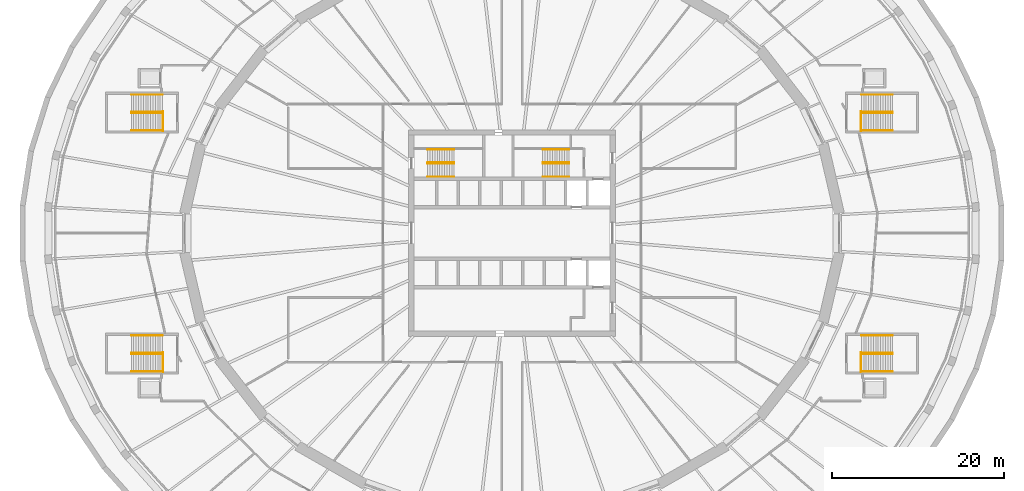
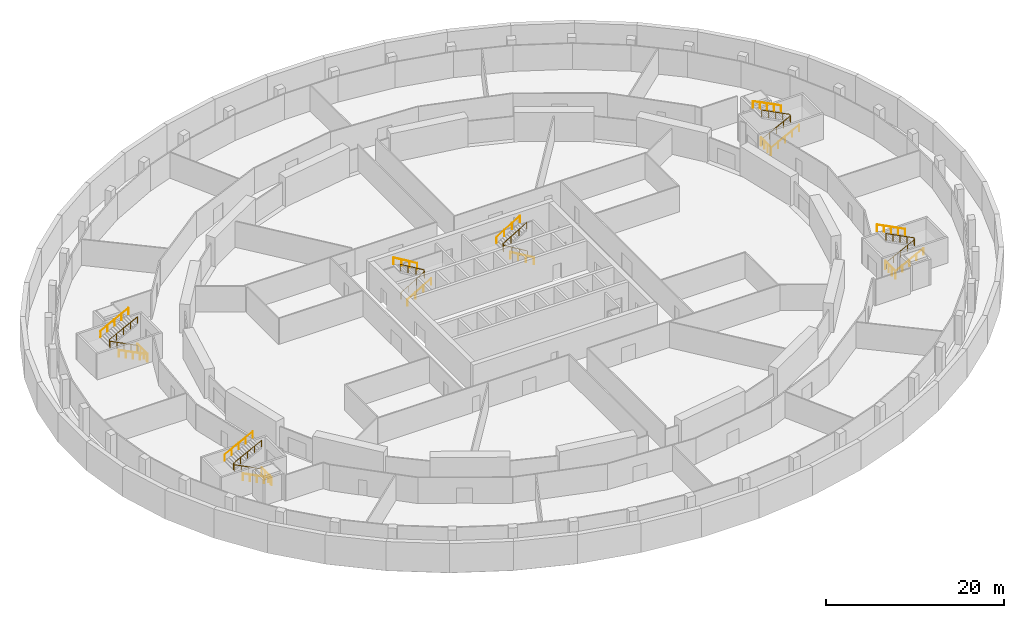
# One storey, part 13 of 14: 22 railings.
"""IFC4 building model written with IfcOpenShell, lengths in metres."""

from ifc_helpers import new_model, si_unit, direction, frame, origin, origin_2d, place, context, subcontext, project, spatial, circle, extrude, material, type_object, element, save


model = new_model("IFC4")

# Units and contexts
model_context = context("Model", 3, precision=1e-05, world=origin(), true_north=direction((0.0, 1.0)))
body_context = subcontext(model_context, "Body", "Model", "MODEL_VIEW")
ifc_project = project(units=[si_unit("LENGTHUNIT", "METRE"), si_unit("AREAUNIT", "SQUARE_METRE"), si_unit("VOLUMEUNIT", "CUBIC_METRE"), si_unit("PLANEANGLEUNIT", "RADIAN"), si_unit("MASSUNIT", "GRAM", prefix="KILO")], contexts=[model_context])

# Site, building, storey
site_placement = place(None, origin())
site = spatial("IfcSite", under=ifc_project, at=site_placement, CompositionType="ELEMENT")
building_placement = place(site_placement, origin())
building = spatial("IfcBuilding", under=site, at=building_placement, Name="Halqa Exchange Tower", CompositionType="ELEMENT")
storey_placement = place(building_placement, frame((0.0, 0.0, -4.0)))
storey = spatial("IfcBuildingStorey", under=building, at=storey_placement, Name="B1", CompositionType="ELEMENT", Elevation=-4.0)

# Railings
ifc_material = material(Name="Stainless steel", Category="steel")
railing_type_1 = type_object("IfcRailingType", Name="Stair handrail 900", PredefinedType="HANDRAIL", material=ifc_material)
railing_1_placement = place(storey_placement, frame((-9.800048828125, 8.06005859375, 0.166748046875)))
element("IfcRailing", 1, at=railing_1_placement, inside=storey, type_object=railing_type_1, Name="Handrail ST1.1", PredefinedType="HANDRAIL", context=body_context, shape_type="SweptSolid", body=[
    extrude(circle(Radius=0.02392578125, at=origin_2d()), frame((0.0, 0.0, 0.8759765625), z_axis=(0.859308565015, 0.0, 0.511457515432), x_axis=(0.0, 1.0, 0.0)), (0.0, 0.0, 1.0), 3.58447265625),
    extrude(circle(Radius=0.02392578125, at=origin_2d()), frame((3.080078125, 0.0, 2.708984375), z_axis=(0.0, 0.614500226555, 0.788916644243), x_axis=(-1.0, 0.0, 0.0)), (0.0, 0.0, 1.0), 0.21142578125),
    extrude(circle(Radius=0.02392578125, at=origin_2d()), frame((3.080078125, 0.1298828125, 2.8759765625), z_axis=(-0.859308565015, 0.0, 0.511457515432), x_axis=(0.0, -1.0, 0.0)), (0.0, 0.0, 1.0), 3.58447265625),
    extrude(circle(Radius=0.02099609375, at=origin_2d()), origin(), (0.0, 0.0, 1.0), 0.851806640625),
    extrude(circle(Radius=0.02099609375, at=origin_2d()), frame((1.026611328125, 0.0, 0.611083984375)), (0.0, 0.0, 1.0), 0.851806640625),
    extrude(circle(Radius=0.02099609375, at=origin_2d()), frame((2.053466796875, 0.0, 1.22216796875)), (0.0, 0.0, 1.0), 0.851806640625),
    extrude(circle(Radius=0.02099609375, at=origin_2d()), frame((3.080078125, 0.0, 1.833251953125)), (0.0, 0.0, 1.0), 0.851806640625),
    extrude(circle(Radius=0.02099609375, at=origin_2d()), frame((3.080078125, 0.1298828125, 2.0)), (0.0, 0.0, 1.0), 0.851806640625),
    extrude(circle(Radius=0.02099609375, at=origin_2d()), frame((2.053466796875, 0.1298828125, 2.611083984375)), (0.0, 0.0, 1.0), 0.851806640625),
    extrude(circle(Radius=0.02099609375, at=origin_2d()), frame((1.026611328125, 0.1298828125, 3.22216796875)), (0.0, 0.0, 1.0), 0.851806640625),
    extrude(circle(Radius=0.02099609375, at=origin_2d()), frame((0.0, 0.1298828125, 3.833251953125)), (0.0, 0.0, 1.0), 0.851806640625),
])
railing_2_placement = place(storey_placement, frame((-9.800048828125, 6.550048828125, 0.166748046875)))
element("IfcRailing", 2, at=railing_2_placement, inside=storey, type_object=railing_type_1, Name="Handrail ST1.2", PredefinedType="HANDRAIL", context=body_context, shape_type="SweptSolid", body=[
    extrude(circle(Radius=0.02392578125, at=origin_2d()), frame((0.0, 0.0, 0.8759765625), z_axis=(0.859308565015, 0.0, 0.511457515432), x_axis=(0.0, 1.0, 0.0)), (0.0, 0.0, 1.0), 3.58447265625),
    extrude(circle(Radius=0.02099609375, at=origin_2d()), origin(), (0.0, 0.0, 1.0), 0.851806640625),
    extrude(circle(Radius=0.02099609375, at=origin_2d()), frame((1.026611328125, 0.0, 0.611083984375)), (0.0, 0.0, 1.0), 0.851806640625),
    extrude(circle(Radius=0.02099609375, at=origin_2d()), frame((2.053466796875, 0.0, 1.22216796875)), (0.0, 0.0, 1.0), 0.851806640625),
    extrude(circle(Radius=0.02099609375, at=origin_2d()), frame((3.080078125, 0.0, 1.833251953125)), (0.0, 0.0, 1.0), 0.851806640625),
])
railing_3_placement = place(storey_placement, frame((-6.719970703125, 9.699951171875, 2.166748046875)))
element("IfcRailing", 3, at=railing_3_placement, inside=storey, type_object=railing_type_1, Name="Handrail ST1.3", PredefinedType="HANDRAIL", context=body_context, shape_type="SweptSolid", body=[
    extrude(circle(Radius=0.02392578125, at=origin_2d()), frame((0.0, 0.0, 0.8759765625), z_axis=(-0.859308565015, 0.0, 0.511457515432), x_axis=(0.0, -1.0, 0.0)), (0.0, 0.0, 1.0), 3.58447265625),
    extrude(circle(Radius=0.02099609375, at=origin_2d()), origin(), (0.0, 0.0, 1.0), 0.851806640625),
    extrude(circle(Radius=0.02099609375, at=origin_2d()), frame((-1.026611328125, 0.0, 0.611083984375)), (0.0, 0.0, 1.0), 0.851806640625),
    extrude(circle(Radius=0.02099609375, at=origin_2d()), frame((-2.053466796875, 0.0, 1.22216796875)), (0.0, 0.0, 1.0), 0.851806640625),
    extrude(circle(Radius=0.02099609375, at=origin_2d()), frame((-3.080078125, 0.0, 1.833251953125)), (0.0, 0.0, 1.0), 0.851806640625),
])
railing_4_placement = place(storey_placement, frame((6.64990234375, 8.06005859375, 0.166748046875)))
element("IfcRailing", 4, at=railing_4_placement, inside=storey, type_object=railing_type_1, Name="Handrail ST2.1", PredefinedType="HANDRAIL", context=body_context, shape_type="SweptSolid", body=[
    extrude(circle(Radius=0.02392578125, at=origin_2d()), frame((0.0, 0.0, 0.8759765625), z_axis=(-0.859290745958, 0.0, 0.51148745235), x_axis=(0.0, -1.0, 0.0)), (0.0, 0.0, 1.0), 3.584228515625),
    extrude(circle(Radius=0.02392578125, at=origin_2d()), frame((-3.079833984375, 0.0, 2.708984375), z_axis=(0.0, 0.614500226555, 0.788916644243), x_axis=(-1.0, 0.0, 0.0)), (0.0, 0.0, 1.0), 0.21142578125),
    extrude(circle(Radius=0.02392578125, at=origin_2d()), frame((-3.079833984375, 0.1298828125, 2.8759765625), z_axis=(0.859290745958, 0.0, 0.51148745235), x_axis=(0.0, 1.0, 0.0)), (0.0, 0.0, 1.0), 3.584228515625),
    extrude(circle(Radius=0.02099609375, at=origin_2d()), origin(), (0.0, 0.0, 1.0), 0.851806640625),
    extrude(circle(Radius=0.02099609375, at=origin_2d()), frame((-1.026611328125, 0.0, 0.611083984375)), (0.0, 0.0, 1.0), 0.851806640625),
    extrude(circle(Radius=0.02099609375, at=origin_2d()), frame((-2.05322265625, 0.0, 1.22216796875)), (0.0, 0.0, 1.0), 0.851806640625),
    extrude(circle(Radius=0.02099609375, at=origin_2d()), frame((-3.079833984375, 0.0, 1.833251953125)), (0.0, 0.0, 1.0), 0.851806640625),
    extrude(circle(Radius=0.02099609375, at=origin_2d()), frame((-3.079833984375, 0.1298828125, 2.0)), (0.0, 0.0, 1.0), 0.851806640625),
    extrude(circle(Radius=0.02099609375, at=origin_2d()), frame((-2.05322265625, 0.1298828125, 2.611083984375)), (0.0, 0.0, 1.0), 0.851806640625),
    extrude(circle(Radius=0.02099609375, at=origin_2d()), frame((-1.026611328125, 0.1298828125, 3.22216796875)), (0.0, 0.0, 1.0), 0.851806640625),
    extrude(circle(Radius=0.02099609375, at=origin_2d()), frame((0.0, 0.1298828125, 3.833251953125)), (0.0, 0.0, 1.0), 0.851806640625),
])
railing_5_placement = place(storey_placement, frame((6.64990234375, 6.550048828125, 0.166748046875)))
element("IfcRailing", 5, at=railing_5_placement, inside=storey, type_object=railing_type_1, Name="Handrail ST2.2", PredefinedType="HANDRAIL", context=body_context, shape_type="SweptSolid", body=[
    extrude(circle(Radius=0.02392578125, at=origin_2d()), frame((0.0, 0.0, 0.8759765625), z_axis=(-0.859290745958, 0.0, 0.51148745235), x_axis=(0.0, -1.0, 0.0)), (0.0, 0.0, 1.0), 3.584228515625),
    extrude(circle(Radius=0.02099609375, at=origin_2d()), origin(), (0.0, 0.0, 1.0), 0.851806640625),
    extrude(circle(Radius=0.02099609375, at=origin_2d()), frame((-1.026611328125, 0.0, 0.611083984375)), (0.0, 0.0, 1.0), 0.851806640625),
    extrude(circle(Radius=0.02099609375, at=origin_2d()), frame((-2.05322265625, 0.0, 1.22216796875)), (0.0, 0.0, 1.0), 0.851806640625),
    extrude(circle(Radius=0.02099609375, at=origin_2d()), frame((-3.079833984375, 0.0, 1.833251953125)), (0.0, 0.0, 1.0), 0.851806640625),
])
railing_6_placement = place(storey_placement, frame((3.570068359375, 9.699951171875, 2.166748046875)))
element("IfcRailing", 6, at=railing_6_placement, inside=storey, type_object=railing_type_1, Name="Handrail ST2.3", PredefinedType="HANDRAIL", context=body_context, shape_type="SweptSolid", body=[
    extrude(circle(Radius=0.02392578125, at=origin_2d()), frame((0.0, 0.0, 0.8759765625), z_axis=(0.859290745958, 0.0, 0.51148745235), x_axis=(0.0, 1.0, 0.0)), (0.0, 0.0, 1.0), 3.584228515625),
    extrude(circle(Radius=0.02099609375, at=origin_2d()), origin(), (0.0, 0.0, 1.0), 0.851806640625),
    extrude(circle(Radius=0.02099609375, at=origin_2d()), frame((1.026611328125, 0.0, 0.611083984375)), (0.0, 0.0, 1.0), 0.851806640625),
    extrude(circle(Radius=0.02099609375, at=origin_2d()), frame((2.05322265625, 0.0, 1.22216796875)), (0.0, 0.0, 1.0), 0.851806640625),
    extrude(circle(Radius=0.02099609375, at=origin_2d()), frame((3.079833984375, 0.0, 1.833251953125)), (0.0, 0.0, 1.0), 0.851806640625),
])
railing_7_placement = place(storey_placement, frame((40.60009765625, 13.93505859375, 0.142822265625)))
element("IfcRailing", 7, at=railing_7_placement, inside=storey, type_object=railing_type_1, Name="Handrail SS1.1", PredefinedType="HANDRAIL", context=body_context, shape_type="SweptSolid", body=[
    extrude(circle(Radius=0.02392578125, at=origin_2d()), frame((0.0, 0.0, 0.8759765625), z_axis=(0.890752984642, 0.0, 0.454487755998), x_axis=(0.0, 1.0, 0.0)), (0.0, 0.0, 1.0), 4.08642578125),
    extrude(circle(Radius=0.02392578125, at=origin_2d()), frame((3.639892578125, 0.0, 2.73291015625), z_axis=(0.0, 0.672798677933, 0.739825613893), x_axis=(-1.0, 0.0, 0.0)), (0.0, 0.0, 1.0), 0.193115234375),
    extrude(circle(Radius=0.02392578125, at=origin_2d()), frame((3.639892578125, 0.1298828125, 2.8759765625), z_axis=(-0.890752984642, 0.0, 0.454487755998), x_axis=(0.0, -1.0, 0.0)), (0.0, 0.0, 1.0), 4.08642578125),
    extrude(circle(Radius=0.02099609375, at=origin_2d()), origin(), (0.0, 0.0, 1.0), 0.851806640625),
    extrude(circle(Radius=0.02099609375, at=origin_2d()), frame((0.909912109375, 0.0, 0.46435546875)), (0.0, 0.0, 1.0), 0.851806640625),
    extrude(circle(Radius=0.02099609375, at=origin_2d()), frame((1.81982421875, 0.0, 0.9287109375)), (0.0, 0.0, 1.0), 0.851806640625),
    extrude(circle(Radius=0.02099609375, at=origin_2d()), frame((2.72998046875, 0.0, 1.392822265625)), (0.0, 0.0, 1.0), 0.851806640625),
    extrude(circle(Radius=0.02099609375, at=origin_2d()), frame((3.639892578125, 0.0, 1.857177734375)), (0.0, 0.0, 1.0), 0.851806640625),
    extrude(circle(Radius=0.02099609375, at=origin_2d()), frame((3.639892578125, 0.1298828125, 2.0)), (0.0, 0.0, 1.0), 0.851806640625),
    extrude(circle(Radius=0.02099609375, at=origin_2d()), frame((2.72998046875, 0.1298828125, 2.46435546875)), (0.0, 0.0, 1.0), 0.851806640625),
    extrude(circle(Radius=0.02099609375, at=origin_2d()), frame((1.81982421875, 0.1298828125, 2.9287109375)), (0.0, 0.0, 1.0), 0.851806640625),
    extrude(circle(Radius=0.02099609375, at=origin_2d()), frame((0.909912109375, 0.1298828125, 3.392822265625)), (0.0, 0.0, 1.0), 0.851806640625),
    extrude(circle(Radius=0.02099609375, at=origin_2d()), frame((0.0, 0.1298828125, 3.857177734375)), (0.0, 0.0, 1.0), 0.851806640625),
])
railing_8_placement = place(storey_placement, frame((40.60009765625, 11.925048828125, 0.142822265625)))
element("IfcRailing", 8, at=railing_8_placement, inside=storey, type_object=railing_type_1, Name="Handrail SS1.2", PredefinedType="HANDRAIL", context=body_context, shape_type="SweptSolid", body=[
    extrude(circle(Radius=0.02392578125, at=origin_2d()), frame((0.0, 0.0, 0.8759765625), z_axis=(0.890752984642, 0.0, 0.454487755998), x_axis=(0.0, 1.0, 0.0)), (0.0, 0.0, 1.0), 4.08642578125),
    extrude(circle(Radius=0.02099609375, at=origin_2d()), origin(), (0.0, 0.0, 1.0), 0.851806640625),
    extrude(circle(Radius=0.02099609375, at=origin_2d()), frame((0.909912109375, 0.0, 0.46435546875)), (0.0, 0.0, 1.0), 0.851806640625),
    extrude(circle(Radius=0.02099609375, at=origin_2d()), frame((1.81982421875, 0.0, 0.9287109375)), (0.0, 0.0, 1.0), 0.851806640625),
    extrude(circle(Radius=0.02099609375, at=origin_2d()), frame((2.72998046875, 0.0, 1.392822265625)), (0.0, 0.0, 1.0), 0.851806640625),
    extrude(circle(Radius=0.02099609375, at=origin_2d()), frame((3.639892578125, 0.0, 1.857177734375)), (0.0, 0.0, 1.0), 0.851806640625),
])
railing_9_placement = place(storey_placement, frame((44.239990234375, 16.074951171875, 2.142822265625)))
element("IfcRailing", 9, at=railing_9_placement, inside=storey, type_object=railing_type_1, Name="Handrail SS1.3", PredefinedType="HANDRAIL", context=body_context, shape_type="SweptSolid", body=[
    extrude(circle(Radius=0.02392578125, at=origin_2d()), frame((0.0, 0.0, 0.8759765625), z_axis=(-0.890752984642, 0.0, 0.454487755998), x_axis=(0.0, -1.0, 0.0)), (0.0, 0.0, 1.0), 4.08642578125),
    extrude(circle(Radius=0.02099609375, at=origin_2d()), origin(), (0.0, 0.0, 1.0), 0.851806640625),
    extrude(circle(Radius=0.02099609375, at=origin_2d()), frame((-0.909912109375, 0.0, 0.46435546875)), (0.0, 0.0, 1.0), 0.851806640625),
    extrude(circle(Radius=0.02099609375, at=origin_2d()), frame((-1.81982421875, 0.0, 0.9287109375)), (0.0, 0.0, 1.0), 0.851806640625),
    extrude(circle(Radius=0.02099609375, at=origin_2d()), frame((-2.72998046875, 0.0, 1.392822265625)), (0.0, 0.0, 1.0), 0.851806640625),
    extrude(circle(Radius=0.02099609375, at=origin_2d()), frame((-3.639892578125, 0.0, 1.857177734375)), (0.0, 0.0, 1.0), 0.851806640625),
])
railing_10_placement = place(storey_placement, frame((40.60009765625, -14.06494140625, 0.142822265625)))
element("IfcRailing", 10, at=railing_10_placement, inside=storey, type_object=railing_type_1, Name="Handrail SS2.1", PredefinedType="HANDRAIL", context=body_context, shape_type="SweptSolid", body=[
    extrude(circle(Radius=0.02392578125, at=origin_2d()), frame((0.0, 0.0, 0.8759765625), z_axis=(0.890752984642, 0.0, 0.454487755998), x_axis=(0.0, 1.0, 0.0)), (0.0, 0.0, 1.0), 4.08642578125),
    extrude(circle(Radius=0.02392578125, at=origin_2d()), frame((3.639892578125, 0.0, 2.73291015625), z_axis=(0.0, 0.672798677933, 0.739825613893), x_axis=(-1.0, 0.0, 0.0)), (0.0, 0.0, 1.0), 0.193115234375),
    extrude(circle(Radius=0.02392578125, at=origin_2d()), frame((3.639892578125, 0.1298828125, 2.8759765625), z_axis=(-0.890752984642, 0.0, 0.454487755998), x_axis=(0.0, -1.0, 0.0)), (0.0, 0.0, 1.0), 4.08642578125),
    extrude(circle(Radius=0.02099609375, at=origin_2d()), origin(), (0.0, 0.0, 1.0), 0.851806640625),
    extrude(circle(Radius=0.02099609375, at=origin_2d()), frame((0.909912109375, 0.0, 0.46435546875)), (0.0, 0.0, 1.0), 0.851806640625),
    extrude(circle(Radius=0.02099609375, at=origin_2d()), frame((1.81982421875, 0.0, 0.9287109375)), (0.0, 0.0, 1.0), 0.851806640625),
    extrude(circle(Radius=0.02099609375, at=origin_2d()), frame((2.72998046875, 0.0, 1.392822265625)), (0.0, 0.0, 1.0), 0.851806640625),
    extrude(circle(Radius=0.02099609375, at=origin_2d()), frame((3.639892578125, 0.0, 1.857177734375)), (0.0, 0.0, 1.0), 0.851806640625),
    extrude(circle(Radius=0.02099609375, at=origin_2d()), frame((3.639892578125, 0.1298828125, 2.0)), (0.0, 0.0, 1.0), 0.851806640625),
    extrude(circle(Radius=0.02099609375, at=origin_2d()), frame((2.72998046875, 0.1298828125, 2.46435546875)), (0.0, 0.0, 1.0), 0.851806640625),
    extrude(circle(Radius=0.02099609375, at=origin_2d()), frame((1.81982421875, 0.1298828125, 2.9287109375)), (0.0, 0.0, 1.0), 0.851806640625),
    extrude(circle(Radius=0.02099609375, at=origin_2d()), frame((0.909912109375, 0.1298828125, 3.392822265625)), (0.0, 0.0, 1.0), 0.851806640625),
    extrude(circle(Radius=0.02099609375, at=origin_2d()), frame((0.0, 0.1298828125, 3.857177734375)), (0.0, 0.0, 1.0), 0.851806640625),
])
railing_11_placement = place(storey_placement, frame((40.60009765625, -16.074951171875, 0.142822265625)))
element("IfcRailing", 11, at=railing_11_placement, inside=storey, type_object=railing_type_1, Name="Handrail SS2.2", PredefinedType="HANDRAIL", context=body_context, shape_type="SweptSolid", body=[
    extrude(circle(Radius=0.02392578125, at=origin_2d()), frame((0.0, 0.0, 0.8759765625), z_axis=(0.890752984642, 0.0, 0.454487755998), x_axis=(0.0, 1.0, 0.0)), (0.0, 0.0, 1.0), 4.08642578125),
    extrude(circle(Radius=0.02099609375, at=origin_2d()), origin(), (0.0, 0.0, 1.0), 0.851806640625),
    extrude(circle(Radius=0.02099609375, at=origin_2d()), frame((0.909912109375, 0.0, 0.46435546875)), (0.0, 0.0, 1.0), 0.851806640625),
    extrude(circle(Radius=0.02099609375, at=origin_2d()), frame((1.81982421875, 0.0, 0.9287109375)), (0.0, 0.0, 1.0), 0.851806640625),
    extrude(circle(Radius=0.02099609375, at=origin_2d()), frame((2.72998046875, 0.0, 1.392822265625)), (0.0, 0.0, 1.0), 0.851806640625),
    extrude(circle(Radius=0.02099609375, at=origin_2d()), frame((3.639892578125, 0.0, 1.857177734375)), (0.0, 0.0, 1.0), 0.851806640625),
])
railing_12_placement = place(storey_placement, frame((44.239990234375, -11.925048828125, 2.142822265625)))
element("IfcRailing", 12, at=railing_12_placement, inside=storey, type_object=railing_type_1, Name="Handrail SS2.3", PredefinedType="HANDRAIL", context=body_context, shape_type="SweptSolid", body=[
    extrude(circle(Radius=0.02392578125, at=origin_2d()), frame((0.0, 0.0, 0.8759765625), z_axis=(-0.890752984642, 0.0, 0.454487755998), x_axis=(0.0, -1.0, 0.0)), (0.0, 0.0, 1.0), 4.08642578125),
    extrude(circle(Radius=0.02099609375, at=origin_2d()), origin(), (0.0, 0.0, 1.0), 0.851806640625),
    extrude(circle(Radius=0.02099609375, at=origin_2d()), frame((-0.909912109375, 0.0, 0.46435546875)), (0.0, 0.0, 1.0), 0.851806640625),
    extrude(circle(Radius=0.02099609375, at=origin_2d()), frame((-1.81982421875, 0.0, 0.9287109375)), (0.0, 0.0, 1.0), 0.851806640625),
    extrude(circle(Radius=0.02099609375, at=origin_2d()), frame((-2.72998046875, 0.0, 1.392822265625)), (0.0, 0.0, 1.0), 0.851806640625),
    extrude(circle(Radius=0.02099609375, at=origin_2d()), frame((-3.639892578125, 0.0, 1.857177734375)), (0.0, 0.0, 1.0), 0.851806640625),
])
railing_13_placement = place(storey_placement, frame((-40.60009765625, 13.93505859375, 0.142822265625)))
element("IfcRailing", 13, at=railing_13_placement, inside=storey, type_object=railing_type_1, Name="Handrail SS3.1", PredefinedType="HANDRAIL", context=body_context, shape_type="SweptSolid", body=[
    extrude(circle(Radius=0.02392578125, at=origin_2d()), frame((0.0, 0.0, 0.8759765625), z_axis=(-0.890752984642, 0.0, 0.454487755998), x_axis=(0.0, -1.0, 0.0)), (0.0, 0.0, 1.0), 4.08642578125),
    extrude(circle(Radius=0.02392578125, at=origin_2d()), frame((-3.639892578125, 0.0, 2.73291015625), z_axis=(0.0, 0.672798677933, 0.739825613893), x_axis=(-1.0, 0.0, 0.0)), (0.0, 0.0, 1.0), 0.193115234375),
    extrude(circle(Radius=0.02392578125, at=origin_2d()), frame((-3.639892578125, 0.1298828125, 2.8759765625), z_axis=(0.890752984642, 0.0, 0.454487755998), x_axis=(0.0, 1.0, 0.0)), (0.0, 0.0, 1.0), 4.08642578125),
    extrude(circle(Radius=0.02099609375, at=origin_2d()), origin(), (0.0, 0.0, 1.0), 0.851806640625),
    extrude(circle(Radius=0.02099609375, at=origin_2d()), frame((-0.909912109375, 0.0, 0.46435546875)), (0.0, 0.0, 1.0), 0.851806640625),
    extrude(circle(Radius=0.02099609375, at=origin_2d()), frame((-1.81982421875, 0.0, 0.9287109375)), (0.0, 0.0, 1.0), 0.851806640625),
    extrude(circle(Radius=0.02099609375, at=origin_2d()), frame((-2.72998046875, 0.0, 1.392822265625)), (0.0, 0.0, 1.0), 0.851806640625),
    extrude(circle(Radius=0.02099609375, at=origin_2d()), frame((-3.639892578125, 0.0, 1.857177734375)), (0.0, 0.0, 1.0), 0.851806640625),
    extrude(circle(Radius=0.02099609375, at=origin_2d()), frame((-3.639892578125, 0.1298828125, 2.0)), (0.0, 0.0, 1.0), 0.851806640625),
    extrude(circle(Radius=0.02099609375, at=origin_2d()), frame((-2.72998046875, 0.1298828125, 2.46435546875)), (0.0, 0.0, 1.0), 0.851806640625),
    extrude(circle(Radius=0.02099609375, at=origin_2d()), frame((-1.81982421875, 0.1298828125, 2.9287109375)), (0.0, 0.0, 1.0), 0.851806640625),
    extrude(circle(Radius=0.02099609375, at=origin_2d()), frame((-0.909912109375, 0.1298828125, 3.392822265625)), (0.0, 0.0, 1.0), 0.851806640625),
    extrude(circle(Radius=0.02099609375, at=origin_2d()), frame((0.0, 0.1298828125, 3.857177734375)), (0.0, 0.0, 1.0), 0.851806640625),
])
railing_14_placement = place(storey_placement, frame((-40.60009765625, 11.925048828125, 0.142822265625)))
element("IfcRailing", 14, at=railing_14_placement, inside=storey, type_object=railing_type_1, Name="Handrail SS3.2", PredefinedType="HANDRAIL", context=body_context, shape_type="SweptSolid", body=[
    extrude(circle(Radius=0.02392578125, at=origin_2d()), frame((0.0, 0.0, 0.8759765625), z_axis=(-0.890752984642, 0.0, 0.454487755998), x_axis=(0.0, -1.0, 0.0)), (0.0, 0.0, 1.0), 4.08642578125),
    extrude(circle(Radius=0.02099609375, at=origin_2d()), origin(), (0.0, 0.0, 1.0), 0.851806640625),
    extrude(circle(Radius=0.02099609375, at=origin_2d()), frame((-0.909912109375, 0.0, 0.46435546875)), (0.0, 0.0, 1.0), 0.851806640625),
    extrude(circle(Radius=0.02099609375, at=origin_2d()), frame((-1.81982421875, 0.0, 0.9287109375)), (0.0, 0.0, 1.0), 0.851806640625),
    extrude(circle(Radius=0.02099609375, at=origin_2d()), frame((-2.72998046875, 0.0, 1.392822265625)), (0.0, 0.0, 1.0), 0.851806640625),
    extrude(circle(Radius=0.02099609375, at=origin_2d()), frame((-3.639892578125, 0.0, 1.857177734375)), (0.0, 0.0, 1.0), 0.851806640625),
])
railing_15_placement = place(storey_placement, frame((-44.239990234375, 16.074951171875, 2.142822265625)))
element("IfcRailing", 15, at=railing_15_placement, inside=storey, type_object=railing_type_1, Name="Handrail SS3.3", PredefinedType="HANDRAIL", context=body_context, shape_type="SweptSolid", body=[
    extrude(circle(Radius=0.02392578125, at=origin_2d()), frame((0.0, 0.0, 0.8759765625), z_axis=(0.890752984642, 0.0, 0.454487755998), x_axis=(0.0, 1.0, 0.0)), (0.0, 0.0, 1.0), 4.08642578125),
    extrude(circle(Radius=0.02099609375, at=origin_2d()), origin(), (0.0, 0.0, 1.0), 0.851806640625),
    extrude(circle(Radius=0.02099609375, at=origin_2d()), frame((0.909912109375, 0.0, 0.46435546875)), (0.0, 0.0, 1.0), 0.851806640625),
    extrude(circle(Radius=0.02099609375, at=origin_2d()), frame((1.81982421875, 0.0, 0.9287109375)), (0.0, 0.0, 1.0), 0.851806640625),
    extrude(circle(Radius=0.02099609375, at=origin_2d()), frame((2.72998046875, 0.0, 1.392822265625)), (0.0, 0.0, 1.0), 0.851806640625),
    extrude(circle(Radius=0.02099609375, at=origin_2d()), frame((3.639892578125, 0.0, 1.857177734375)), (0.0, 0.0, 1.0), 0.851806640625),
])
railing_16_placement = place(storey_placement, frame((-40.60009765625, -14.06494140625, 0.142822265625)))
element("IfcRailing", 16, at=railing_16_placement, inside=storey, type_object=railing_type_1, Name="Handrail SS4.1", PredefinedType="HANDRAIL", context=body_context, shape_type="SweptSolid", body=[
    extrude(circle(Radius=0.02392578125, at=origin_2d()), frame((0.0, 0.0, 0.8759765625), z_axis=(-0.890752984642, 0.0, 0.454487755998), x_axis=(0.0, -1.0, 0.0)), (0.0, 0.0, 1.0), 4.08642578125),
    extrude(circle(Radius=0.02392578125, at=origin_2d()), frame((-3.639892578125, 0.0, 2.73291015625), z_axis=(0.0, 0.672798677933, 0.739825613893), x_axis=(-1.0, 0.0, 0.0)), (0.0, 0.0, 1.0), 0.193115234375),
    extrude(circle(Radius=0.02392578125, at=origin_2d()), frame((-3.639892578125, 0.1298828125, 2.8759765625), z_axis=(0.890752984642, 0.0, 0.454487755998), x_axis=(0.0, 1.0, 0.0)), (0.0, 0.0, 1.0), 4.08642578125),
    extrude(circle(Radius=0.02099609375, at=origin_2d()), origin(), (0.0, 0.0, 1.0), 0.851806640625),
    extrude(circle(Radius=0.02099609375, at=origin_2d()), frame((-0.909912109375, 0.0, 0.46435546875)), (0.0, 0.0, 1.0), 0.851806640625),
    extrude(circle(Radius=0.02099609375, at=origin_2d()), frame((-1.81982421875, 0.0, 0.9287109375)), (0.0, 0.0, 1.0), 0.851806640625),
    extrude(circle(Radius=0.02099609375, at=origin_2d()), frame((-2.72998046875, 0.0, 1.392822265625)), (0.0, 0.0, 1.0), 0.851806640625),
    extrude(circle(Radius=0.02099609375, at=origin_2d()), frame((-3.639892578125, 0.0, 1.857177734375)), (0.0, 0.0, 1.0), 0.851806640625),
    extrude(circle(Radius=0.02099609375, at=origin_2d()), frame((-3.639892578125, 0.1298828125, 2.0)), (0.0, 0.0, 1.0), 0.851806640625),
    extrude(circle(Radius=0.02099609375, at=origin_2d()), frame((-2.72998046875, 0.1298828125, 2.46435546875)), (0.0, 0.0, 1.0), 0.851806640625),
    extrude(circle(Radius=0.02099609375, at=origin_2d()), frame((-1.81982421875, 0.1298828125, 2.9287109375)), (0.0, 0.0, 1.0), 0.851806640625),
    extrude(circle(Radius=0.02099609375, at=origin_2d()), frame((-0.909912109375, 0.1298828125, 3.392822265625)), (0.0, 0.0, 1.0), 0.851806640625),
    extrude(circle(Radius=0.02099609375, at=origin_2d()), frame((0.0, 0.1298828125, 3.857177734375)), (0.0, 0.0, 1.0), 0.851806640625),
])
railing_17_placement = place(storey_placement, frame((-40.60009765625, -16.074951171875, 0.142822265625)))
element("IfcRailing", 17, at=railing_17_placement, inside=storey, type_object=railing_type_1, Name="Handrail SS4.2", PredefinedType="HANDRAIL", context=body_context, shape_type="SweptSolid", body=[
    extrude(circle(Radius=0.02392578125, at=origin_2d()), frame((0.0, 0.0, 0.8759765625), z_axis=(-0.890752984642, 0.0, 0.454487755998), x_axis=(0.0, -1.0, 0.0)), (0.0, 0.0, 1.0), 4.08642578125),
    extrude(circle(Radius=0.02099609375, at=origin_2d()), origin(), (0.0, 0.0, 1.0), 0.851806640625),
    extrude(circle(Radius=0.02099609375, at=origin_2d()), frame((-0.909912109375, 0.0, 0.46435546875)), (0.0, 0.0, 1.0), 0.851806640625),
    extrude(circle(Radius=0.02099609375, at=origin_2d()), frame((-1.81982421875, 0.0, 0.9287109375)), (0.0, 0.0, 1.0), 0.851806640625),
    extrude(circle(Radius=0.02099609375, at=origin_2d()), frame((-2.72998046875, 0.0, 1.392822265625)), (0.0, 0.0, 1.0), 0.851806640625),
    extrude(circle(Radius=0.02099609375, at=origin_2d()), frame((-3.639892578125, 0.0, 1.857177734375)), (0.0, 0.0, 1.0), 0.851806640625),
])
railing_18_placement = place(storey_placement, frame((-44.239990234375, -11.925048828125, 2.142822265625)))
element("IfcRailing", 18, at=railing_18_placement, inside=storey, type_object=railing_type_1, Name="Handrail SS4.3", PredefinedType="HANDRAIL", context=body_context, shape_type="SweptSolid", body=[
    extrude(circle(Radius=0.02392578125, at=origin_2d()), frame((0.0, 0.0, 0.8759765625), z_axis=(0.890752984642, 0.0, 0.454487755998), x_axis=(0.0, 1.0, 0.0)), (0.0, 0.0, 1.0), 4.08642578125),
    extrude(circle(Radius=0.02099609375, at=origin_2d()), origin(), (0.0, 0.0, 1.0), 0.851806640625),
    extrude(circle(Radius=0.02099609375, at=origin_2d()), frame((0.909912109375, 0.0, 0.46435546875)), (0.0, 0.0, 1.0), 0.851806640625),
    extrude(circle(Radius=0.02099609375, at=origin_2d()), frame((1.81982421875, 0.0, 0.9287109375)), (0.0, 0.0, 1.0), 0.851806640625),
    extrude(circle(Radius=0.02099609375, at=origin_2d()), frame((2.72998046875, 0.0, 1.392822265625)), (0.0, 0.0, 1.0), 0.851806640625),
    extrude(circle(Radius=0.02099609375, at=origin_2d()), frame((3.639892578125, 0.0, 1.857177734375)), (0.0, 0.0, 1.0), 0.851806640625),
])
railing_type_2 = type_object("IfcRailingType", Name="Stair well guard 1100", PredefinedType="GUARDRAIL", material=ifc_material)
for number, where, name in (
    (19, (40.550048828125, 11.875, 0.0), "Guard SS1 well"),
    (20, (40.550048828125, -16.125, 0.0), "Guard SS2 well"),
    (21, (-40.550048828125, 11.875, 0.0), "Guard SS3 well"),
    (22, (-40.550048828125, -16.125, 0.0), "Guard SS4 well"),
):
    element("IfcRailing", number, at=place(storey_placement, frame(where)), inside=storey, type_object=railing_type_2, Name=name, PredefinedType="GUARDRAIL", context=body_context, shape_type="SweptSolid", body=[
        extrude(circle(Radius=0.02392578125, at=origin_2d()), frame((0.0, 0.0, 1.076171875), z_axis=(0.0, 1.0, 0.0), x_axis=(-1.0, 0.0, 0.0)), (0.0, 0.0, 1.0), 2.25),
        extrude(circle(Radius=0.02099609375, at=origin_2d()), origin(), (0.0, 0.0, 1.0), 1.052001953125),
        extrude(circle(Radius=0.02099609375, at=origin_2d()), frame((0.0, 0.75, 0.0)), (0.0, 0.0, 1.0), 1.052001953125),
        extrude(circle(Radius=0.02099609375, at=origin_2d()), frame((0.0, 1.5, 0.0)), (0.0, 0.0, 1.0), 1.052001953125),
        extrude(circle(Radius=0.02099609375, at=origin_2d()), frame((0.0, 2.25, 0.0)), (0.0, 0.0, 1.0), 1.052001953125),
    ])

save(model, "model.ifc")
